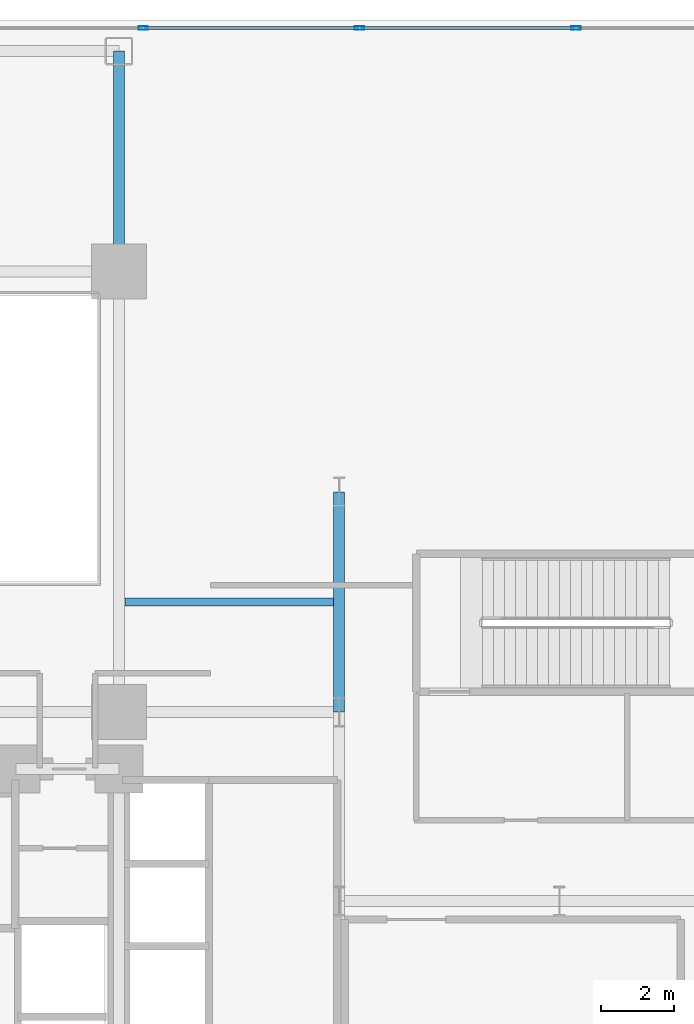
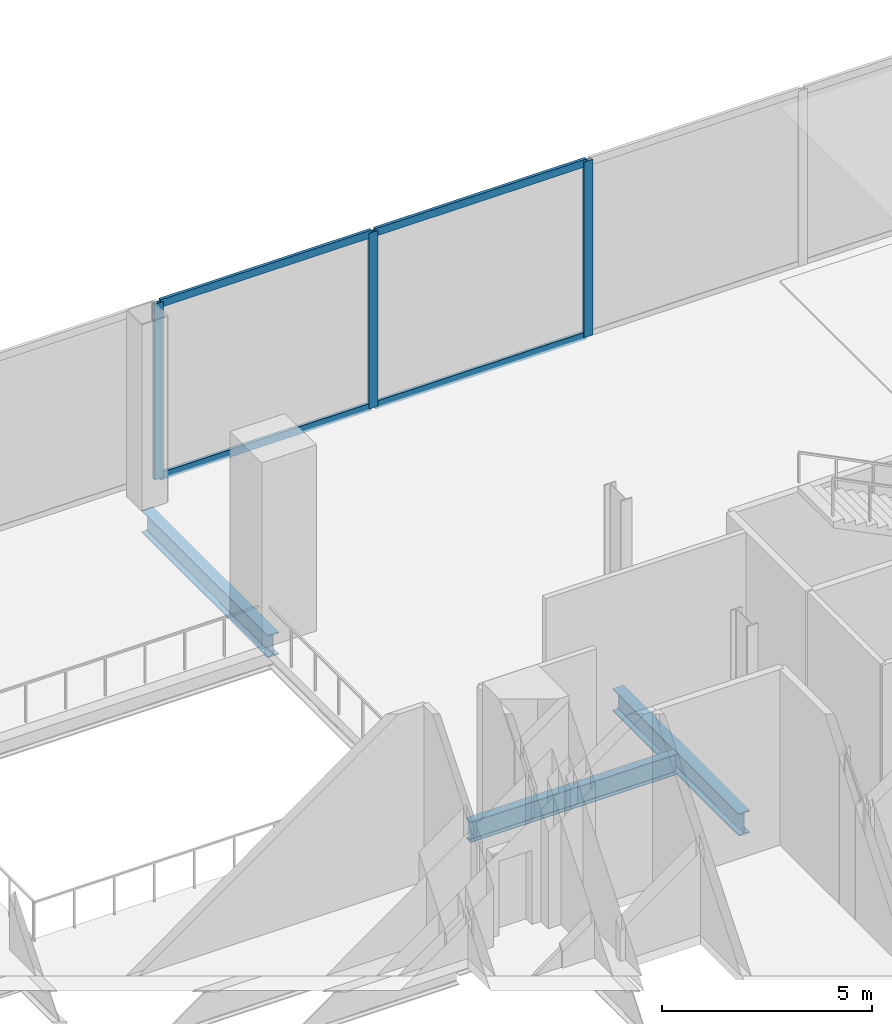
# One storey, part 15 of 28: 7 members, 3 beams, 1 element without a shape of its own.
"""IFC4 building model written with IfcOpenShell, lengths in metres."""

from ifc_helpers import new_model, si_unit, direction, frame, origin, origin_2d, place, context, subcontext, project, spatial, hollow_rectangle, i_section, extrude, material, layer, layer_set, material_profile, profile_set, type_object, element, aggregate, save


model = new_model("IFC4")

# Units and contexts
model_context = context("Model", 3, precision=1e-05, world=origin(), true_north=direction((0.0, 1.0)))
body_context = subcontext(model_context, "Body", "Model", "MODEL_VIEW")
ifc_project = project(units=[si_unit("LENGTHUNIT", "METRE"), si_unit("AREAUNIT", "SQUARE_METRE"), si_unit("VOLUMEUNIT", "CUBIC_METRE"), si_unit("PLANEANGLEUNIT", "RADIAN"), si_unit("MASSUNIT", "GRAM", prefix="KILO"), si_unit("THERMODYNAMICTEMPERATUREUNIT", "KELVIN"), si_unit("POWERUNIT", "WATT")], contexts=[model_context])

# Site, building, storey
site_placement = place(None, origin())
site = spatial("IfcSite", under=ifc_project, at=site_placement, CompositionType="ELEMENT")
building_placement = place(site_placement, origin())
building = spatial("IfcBuilding", under=site, at=building_placement, Name="Svarakhadi Broadcast Tower", CompositionType="ELEMENT")
storey_placement = place(building_placement, frame((0.0, 0.0, 11.10009765625)))
storey = spatial("IfcBuildingStorey", under=building, at=storey_placement, Name="L02", CompositionType="ELEMENT", Elevation=11.10009765625)

# Beam
ifc_material_1 = material(Name="Steel S355J2 (IS 2062 E350C)", Category="steel")
ifc_material_profile_1 = material_profile(ifc_material_1, i_section(OverallWidth=0.219970703125, OverallDepth=0.60009765625, WebThickness=0.011962890625, FlangeThickness=0.01904296875, FilletRadius=0.02392578125, at=origin_2d()), Name="NPB 600x220x122")
ifc_profile_set_1 = profile_set([ifc_material_profile_1], Name="Steel S355J2 (IS 2062 E350C)")
beam_type_1 = type_object("IfcBeamType", Name="Beam_NPB600", PredefinedType="BEAM", material=ifc_profile_set_1)
beam_placement = place(storey_placement, frame((18.159912109375, 32.14990234375, -0.5751953125), z_axis=(1.0, 0.0, 0.0), x_axis=(0.0, 1.0, 0.0)))
element("IfcBeam", 1, at=beam_placement, inside=storey, type_object=beam_type_1, Name="L02 Secondary Composite Beam SB016", PredefinedType="BEAM", context=body_context, shape_type="SweptSolid", body=[
    extrude(i_section(OverallWidth=0.219970703125, OverallDepth=0.60009765625, WebThickness=0.011962890625, FlangeThickness=0.01904296875, FilletRadius=0.02392578125, at=origin_2d()), origin(), (0.0, 0.0, 1.0), 5.68017578125),
])

# Curtain wall, members
ifc_material_2 = material(Name="Anodised Bronze Aluminium AA 6063-T6", Category="aluminium")
ifc_layer = layer(ifc_material_2, 0.25)
ifc_layer_set = layer_set([ifc_layer], Name="Anodised Bronze Aluminium AA 6063-T6")
curtain_wall_type = type_object("IfcCurtainWallType", Name="CW_Sys_01", PredefinedType="NOTDEFINED", material=ifc_layer_set)
curtain_wall_placement = place(storey_placement, origin())
curtain_wall = element("IfcCurtainWall", 2, at=curtain_wall_placement, inside=storey, type_object=curtain_wall_type, Name="L02 Unitised Facade Curtain Wall 05 Bay 2", PredefinedType="NOTDEFINED")
ifc_material_profile_2 = material_profile(ifc_material_2, hollow_rectangle(XDim=0.094970703125, YDim=0.25, WallThickness=0.006103515625, at=origin_2d()), Name="ALU MULLION 250x95x6")
ifc_profile_set_2 = profile_set([ifc_material_profile_2], Name="Anodised Bronze Aluminium AA 6063-T6")
member_type_1 = type_object("IfcMemberType", Name="CW_Sys_01_Mul", PredefinedType="MULLION", material=ifc_profile_set_2)
member_1_placement = place(storey_placement, frame((18.66259765625, 47.780029296875, 0.0), z_axis=(0.0, 0.0, 1.0), x_axis=(0.0, 1.0, 0.0)))
member_1 = element("IfcMember", 3, at=member_1_placement, type_object=member_type_1, Name="CW-01 mullion 2", PredefinedType="MULLION", context=body_context, shape_type="SweptSolid", body=[
    extrude(hollow_rectangle(XDim=0.094970703125, YDim=0.25, WallThickness=0.006103515625, at=origin_2d()), origin(), (0.0, 0.0, 1.0), 5.099853515625),
])
member_2_placement = place(storey_placement, frame((24.554931640625, 47.780029296875, 0.0), z_axis=(0.0, 0.0, 1.0), x_axis=(0.0, 1.0, 0.0)))
member_2 = element("IfcMember", 4, at=member_2_placement, type_object=member_type_1, Name="CW-01 mullion 3", PredefinedType="MULLION", context=body_context, shape_type="SweptSolid", body=[
    extrude(hollow_rectangle(XDim=0.094970703125, YDim=0.25, WallThickness=0.006103515625, at=origin_2d()), origin(), (0.0, 0.0, 1.0), 5.099853515625),
])
member_3_placement = place(storey_placement, frame((30.447509765625, 47.780029296875, 0.0), z_axis=(0.0, 0.0, 1.0), x_axis=(0.0, 1.0, 0.0)))
member_3 = element("IfcMember", 5, at=member_3_placement, type_object=member_type_1, Name="CW-01 mullion 4", PredefinedType="MULLION", context=body_context, shape_type="SweptSolid", body=[
    extrude(hollow_rectangle(XDim=0.094970703125, YDim=0.25, WallThickness=0.006103515625, at=origin_2d()), origin(), (0.0, 0.0, 1.0), 5.099853515625),
])
ifc_material_profile_3 = material_profile(ifc_material_2, hollow_rectangle(XDim=0.0849609375, YDim=0.219970703125, WallThickness=0.0048828125, at=origin_2d()), Name="ALU TRANSOM 220x85x5")
ifc_profile_set_3 = profile_set([ifc_material_profile_3], Name="Anodised Bronze Aluminium AA 6063-T6")
member_type_2 = type_object("IfcMemberType", Name="CW_Sys_01_Trn", PredefinedType="USERDEFINED", material=ifc_profile_set_3)
member_4_placement = place(storey_placement, frame((18.7099609375, 47.780029296875, 0.04248046875), z_axis=(1.0, 0.0, 0.0), x_axis=(0.0, 1.0, 0.0)))
member_4 = element("IfcMember", 6, at=member_4_placement, type_object=member_type_2, Name="CW-01 transom 2.1", ObjectType="TRANSOM", PredefinedType="USERDEFINED", context=body_context, shape_type="SweptSolid", body=[
    extrude(hollow_rectangle(XDim=0.0849609375, YDim=0.219970703125, WallThickness=0.0048828125, at=origin_2d()), origin(), (0.0, 0.0, 1.0), 5.797607421875),
])
member_5_placement = place(storey_placement, frame((18.7099609375, 47.780029296875, 5.057373046875), z_axis=(1.0, 0.0, 0.0), x_axis=(0.0, 1.0, 0.0)))
member_5 = element("IfcMember", 7, at=member_5_placement, type_object=member_type_2, Name="CW-01 transom 2.2", ObjectType="TRANSOM", PredefinedType="USERDEFINED", context=body_context, shape_type="SweptSolid", body=[
    extrude(hollow_rectangle(XDim=0.0849609375, YDim=0.219970703125, WallThickness=0.0048828125, at=origin_2d()), origin(), (0.0, 0.0, 1.0), 5.797607421875),
])
member_6_placement = place(storey_placement, frame((24.6025390625, 47.780029296875, 0.04248046875), z_axis=(1.0, 0.0, 0.0), x_axis=(0.0, 1.0, 0.0)))
member_6 = element("IfcMember", 8, at=member_6_placement, type_object=member_type_2, Name="CW-01 transom 3.1", ObjectType="TRANSOM", PredefinedType="USERDEFINED", context=body_context, shape_type="SweptSolid", body=[
    extrude(hollow_rectangle(XDim=0.0849609375, YDim=0.219970703125, WallThickness=0.0048828125, at=origin_2d()), origin(), (0.0, 0.0, 1.0), 5.79736328125),
])
member_7_placement = place(storey_placement, frame((24.6025390625, 47.780029296875, 5.057373046875), z_axis=(1.0, 0.0, 0.0), x_axis=(0.0, 1.0, 0.0)))
member_7 = element("IfcMember", 9, at=member_7_placement, type_object=member_type_2, Name="CW-01 transom 3.2", ObjectType="TRANSOM", PredefinedType="USERDEFINED", context=body_context, shape_type="SweptSolid", body=[
    extrude(hollow_rectangle(XDim=0.0849609375, YDim=0.219970703125, WallThickness=0.0048828125, at=origin_2d()), origin(), (0.0, 0.0, 1.0), 5.79736328125),
])
aggregate(curtain_wall, [member_1, member_2, member_3, member_4, member_5, member_6, member_7])

# Beams
ifc_material_profile_4 = material_profile(ifc_material_1, i_section(OverallWidth=0.300048828125, OverallDepth=0.64990234375, WebThickness=0.01611328125, FlangeThickness=0.031005859375, FilletRadius=0.027099609375, at=origin_2d()), Name="WPB 650x300x225")
ifc_profile_set_4 = profile_set([ifc_material_profile_4], Name="Steel S355J2 (IS 2062 E350C)")
beam_type_2 = type_object("IfcBeamType", Name="Girder_WPB650", PredefinedType="USERDEFINED", material=ifc_profile_set_4)
for number, where, z_axis, x_axis, name in (
    (10, (18.0, 41.14990234375, -0.60009765625), (0.0, 1.0, 0.0), (-1.0, 0.0, 0.0), "L02 Primary N-S Girder G063"),
    (11, (24.0, 29.14990234375, -0.60009765625), (0.0, 1.0, 0.0), (-1.0, 0.0, 0.0), "L02 Primary N-S Girder G069"),
):
    element("IfcBeam", number, at=place(storey_placement, frame(where, z_axis=z_axis, x_axis=x_axis)), inside=storey, type_object=beam_type_2, Name=name, ObjectType="GIRDER", PredefinedType="USERDEFINED", context=body_context, shape_type="SweptSolid", body=[
        extrude(i_section(OverallWidth=0.300048828125, OverallDepth=0.64990234375, WebThickness=0.01611328125, FlangeThickness=0.031005859375, FilletRadius=0.027099609375, at=origin_2d()), origin(), (0.0, 0.0, 1.0), 6.0),
    ])

save(model, "model.ifc")
